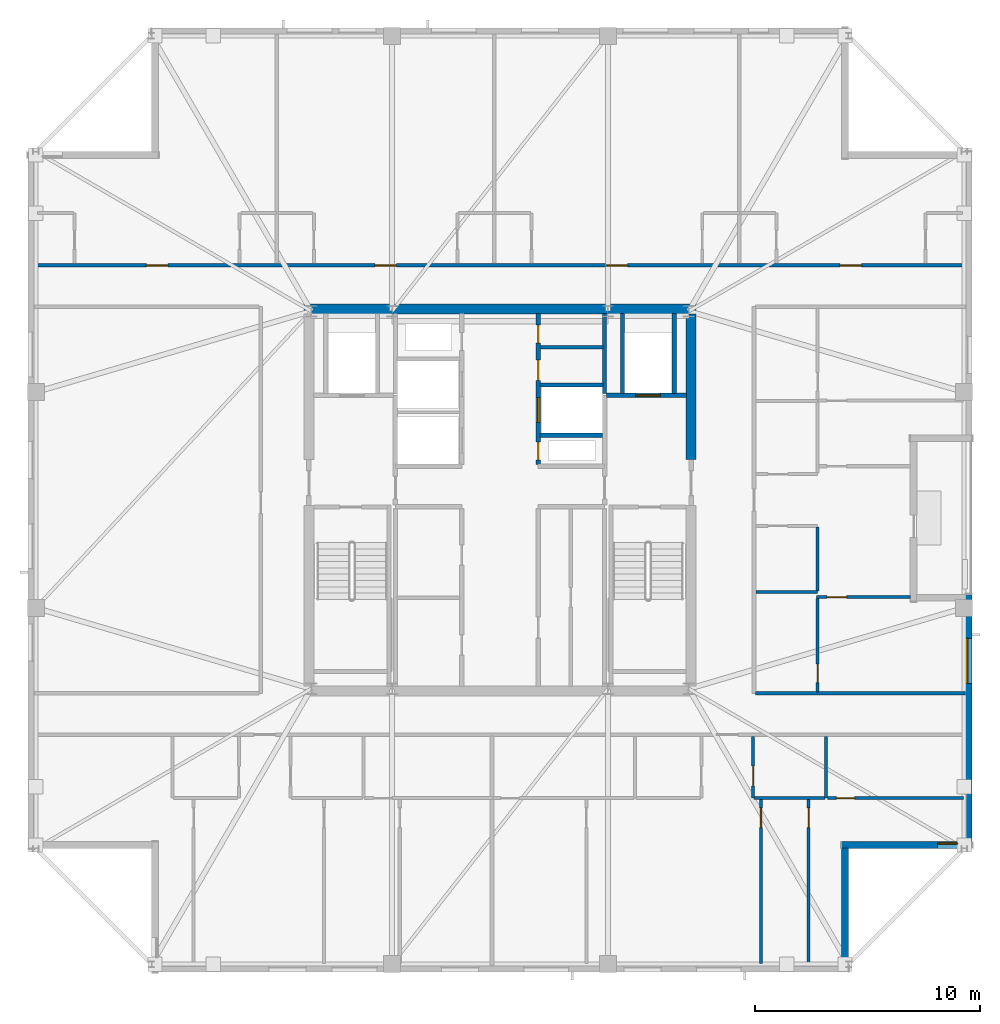
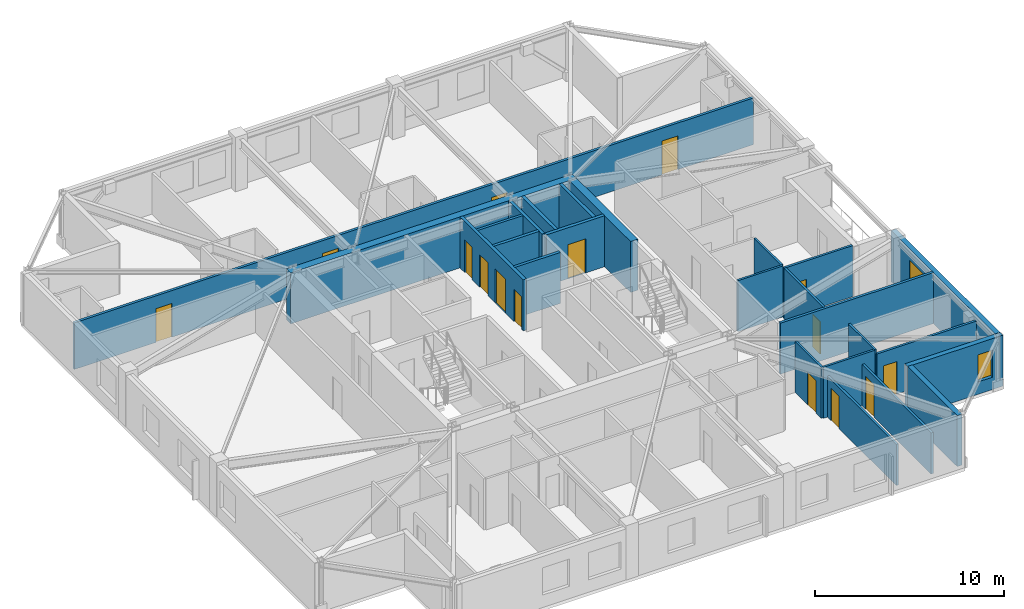
# One storey, part 9 of 14: 25 walls, 15 doors, 2 windows, 17 openings.
"""IFC4 building model written with IfcOpenShell, lengths in metres."""

from ifc_helpers import new_model, si_unit, direction, frame, frame_2d, origin, place, context, subcontext, project, spatial, rectangle, extrude, material, layer, layer_set, type_object, element, fill, save


model = new_model("IFC4")

# Units and contexts
model_context = context("Model", 3, precision=1e-05, world=origin(), true_north=direction((0.0, 1.0)))
body_context = subcontext(model_context, "Body", "Model", "MODEL_VIEW")
ifc_project = project(units=[si_unit("LENGTHUNIT", "METRE"), si_unit("AREAUNIT", "SQUARE_METRE"), si_unit("VOLUMEUNIT", "CUBIC_METRE"), si_unit("PLANEANGLEUNIT", "RADIAN"), si_unit("MASSUNIT", "GRAM", prefix="KILO")], contexts=[model_context])

# Site, building, storey
site_placement = place(None, origin())
site = spatial("IfcSite", under=ifc_project, at=site_placement, CompositionType="ELEMENT")
building_placement = place(site_placement, origin())
building = spatial("IfcBuilding", under=site, at=building_placement, Name="Cairnveth Concourse Tower", CompositionType="ELEMENT")
storey_placement = place(building_placement, frame((0.0, 0.0, 301.5)))
storey = spatial("IfcBuildingStorey", under=building, at=storey_placement, Name="L83", CompositionType="ELEMENT", Elevation=301.5)

# Wall
ifc_material_1 = material(Name="Gypsum Plasterboard Partition", Category="gypsum")
ifc_layer_1 = layer(ifc_material_1, 0.159912109375)
ifc_layer_set_1 = layer_set([ifc_layer_1], Name="Gypsum Plasterboard Partition")
wall_type_1 = type_object("IfcWallType", Name="ACOUSTIC PARTY WALL 180", PredefinedType="PARTITIONING", material=ifc_layer_set_1)
wall_1_placement = place(storey_placement, frame((53.784912109375, 45.800048828125, 0.0), z_axis=(0.0, 0.0, 1.0), x_axis=(1.0, 0.0, 0.0)))
element("IfcWall", 1, at=wall_1_placement, inside=storey, type_object=wall_type_1, Name="Interior Wall IW-L83-035", PredefinedType="PARTITIONING", context=body_context, shape_type="SweptSolid", body=[
    extrude(rectangle(XDim=2.7900390625, YDim=0.159912109375, at=frame_2d((1.39501953125, 0.0))), origin(), (0.0, 0.0, 1.0), 3.2900390625),
])

# Wall, openings, doors
wall_2_placement = place(storey_placement, frame((31.284912109375, 49.43505859375, 0.0), z_axis=(0.0, 0.0, 1.0), x_axis=(1.0, 0.0, 0.0)))
wall_2 = element("IfcWall", 2, at=wall_2_placement, inside=storey, type_object=wall_type_1, Name="Interior Wall IW-L83-037", PredefinedType="PARTITIONING", context=body_context, shape_type="SweptSolid", body=[
    extrude(rectangle(XDim=41.43017578125, YDim=0.159912109375, at=frame_2d((20.715087890625, 0.0))), origin(), (0.0, 0.0, 1.0), 3.009033203125),
])
opening_1_placement = place(wall_2_placement, frame((4.978759765625, 0.0, 0.0)))
opening_1 = element("IfcOpeningElement", 3, at=opening_1_placement, cuts=wall_2, Name="Opening ID10", PredefinedType="OPENING", context=body_context, shape_type="SweptSolid", body=[
    extrude(rectangle(XDim=0.9599609375, YDim=2.179931640625, at=frame_2d((0.47998046875, 1.08984375))), frame((0.0, 0.08984375, 0.0), z_axis=(0.0, -1.0, 0.0), x_axis=(1.0, 0.0, 0.0)), (0.0, 0.0, 1.0), 0.179931640625),
])
opening_2_placement = place(wall_2_placement, frame((15.14501953125, 0.0, 0.0)))
opening_2 = element("IfcOpeningElement", 4, at=opening_2_placement, cuts=wall_2, Name="Opening ID10", PredefinedType="OPENING", context=body_context, shape_type="SweptSolid", body=[
    extrude(rectangle(XDim=0.9599609375, YDim=2.179931640625, at=frame_2d((0.47998046875, 1.08984375))), frame((0.0, 0.08984375, 0.0), z_axis=(0.0, -1.0, 0.0), x_axis=(1.0, 0.0, 0.0)), (0.0, 0.0, 1.0), 0.179931640625),
])
opening_3_placement = place(wall_2_placement, frame((25.43505859375, 0.0, 0.0)))
opening_3 = element("IfcOpeningElement", 5, at=opening_3_placement, cuts=wall_2, Name="Opening ID10", PredefinedType="OPENING", context=body_context, shape_type="SweptSolid", body=[
    extrude(rectangle(XDim=0.9599609375, YDim=2.179931640625, at=frame_2d((0.47998046875, 1.08984375))), frame((0.0, 0.08984375, 0.0), z_axis=(0.0, -1.0, 0.0), x_axis=(1.0, 0.0, 0.0)), (0.0, 0.0, 1.0), 0.179931640625),
])
opening_4_placement = place(wall_2_placement, frame((35.848876953125, 0.0, 0.0)))
opening_4 = element("IfcOpeningElement", 6, at=opening_4_placement, cuts=wall_2, Name="Opening ID10", PredefinedType="OPENING", context=body_context, shape_type="SweptSolid", body=[
    extrude(rectangle(XDim=0.9599609375, YDim=2.179931640625, at=frame_2d((0.47998046875, 1.08984375))), frame((0.0, 0.08984375, 0.0), z_axis=(0.0, -1.0, 0.0), x_axis=(1.0, 0.0, 0.0)), (0.0, 0.0, 1.0), 0.179931640625),
])
ifc_material_2 = material(Name="Solid Core Hardwood Timber Leaf", Category="wood")
door_type_1 = type_object("IfcDoorType", Name="FLAT ENTRANCE DOOR 960X2150", OperationType="NOTDEFINED", PredefinedType="DOOR", material=ifc_material_2)
door_1_placement = place(opening_1_placement, origin())
door_1 = element("IfcDoor", 7, at=door_1_placement, inside=storey, type_object=door_type_1, Name="Studio L83STN1 Entrance Door", OperationType="SINGLE_SWING_LEFT", OverallHeight=2.179931640625, OverallWidth=0.9599609375, PredefinedType="DOOR", context=body_context, shape_type="SweptSolid", body=[
    extrude(rectangle(XDim=0.9599609375, YDim=2.179931640625, at=frame_2d((0.47998046875, 1.08984375))), frame((0.0, 0.02490234375, 0.0), z_axis=(0.0, -1.0, 0.0), x_axis=(1.0, 0.0, 0.0)), (0.0, 0.0, 1.0), 0.050048828125),
])
fill(opening_1, door_1)
door_2_placement = place(opening_2_placement, origin())
door_2 = element("IfcDoor", 8, at=door_2_placement, inside=storey, type_object=door_type_1, Name="Studio L83STN2 Entrance Door", OperationType="SINGLE_SWING_RIGHT", OverallHeight=2.179931640625, OverallWidth=0.9599609375, PredefinedType="DOOR", context=body_context, shape_type="SweptSolid", body=[
    extrude(rectangle(XDim=0.9599609375, YDim=2.179931640625, at=frame_2d((0.47998046875, 1.08984375))), frame((0.0, 0.02490234375, 0.0), z_axis=(0.0, -1.0, 0.0), x_axis=(1.0, 0.0, 0.0)), (0.0, 0.0, 1.0), 0.050048828125),
])
fill(opening_2, door_2)
door_3_placement = place(opening_3_placement, origin())
door_3 = element("IfcDoor", 9, at=door_3_placement, inside=storey, type_object=door_type_1, Name="Studio L83STN3 Entrance Door", OperationType="SINGLE_SWING_LEFT", OverallHeight=2.179931640625, OverallWidth=0.9599609375, PredefinedType="DOOR", context=body_context, shape_type="SweptSolid", body=[
    extrude(rectangle(XDim=0.9599609375, YDim=2.179931640625, at=frame_2d((0.47998046875, 1.08984375))), frame((0.0, 0.02490234375, 0.0), z_axis=(0.0, -1.0, 0.0), x_axis=(1.0, 0.0, 0.0)), (0.0, 0.0, 1.0), 0.050048828125),
])
fill(opening_3, door_3)
door_4_placement = place(opening_4_placement, origin())
door_4 = element("IfcDoor", 10, at=door_4_placement, inside=storey, type_object=door_type_1, Name="Studio L83STN4 Entrance Door", OperationType="SINGLE_SWING_RIGHT", OverallHeight=2.179931640625, OverallWidth=0.9599609375, PredefinedType="DOOR", context=body_context, shape_type="SweptSolid", body=[
    extrude(rectangle(XDim=0.9599609375, YDim=2.179931640625, at=frame_2d((0.47998046875, 1.08984375))), frame((0.0, 0.02490234375, 0.0), z_axis=(0.0, -1.0, 0.0), x_axis=(1.0, 0.0, 0.0)), (0.0, 0.0, 1.0), 0.050048828125),
])
fill(opening_4, door_4)

# Walls
wall_3_placement = place(storey_placement, frame((63.364990234375, 30.39990234375, 0.0), z_axis=(0.0, 0.0, 1.0), x_axis=(1.0, 0.0, 0.0)))
element("IfcWall", 11, at=wall_3_placement, inside=storey, type_object=wall_type_1, Name="Interior Wall IW-L83-042", PredefinedType="PARTITIONING", context=body_context, shape_type="SweptSolid", body=[
    extrude(rectangle(XDim=9.35009765625, YDim=0.159912109375, at=frame_2d((4.675048828125, 0.0))), origin(), (0.0, 0.0, 1.0), 3.2900390625),
])
ifc_material_3 = material(Name="Concrete N65 (65 MPa)", Category="concrete")
ifc_layer_2 = layer(ifc_material_3, 0.449951171875)
ifc_layer_set_2 = layer_set([ifc_layer_2], Name="Concrete N65 (65 MPa)")
wall_type_2 = type_object("IfcWallType", Name="CORE SHEAR WALL 450", PredefinedType="SHEAR", material=ifc_layer_set_2)
wall_4_placement = place(storey_placement, frame((43.27490234375, 47.5, 0.0), z_axis=(0.0, 0.0, 1.0), x_axis=(1.0, 0.0, 0.0)))
element("IfcWall", 12, at=wall_4_placement, inside=storey, type_object=wall_type_2, Name="Core North Shear Wall L83", PredefinedType="SHEAR", context=body_context, shape_type="SweptSolid", body=[
    extrude(rectangle(XDim=17.4501953125, YDim=0.449951171875, at=frame_2d((8.72509765625, 0.0))), origin(), (0.0, 0.0, 1.0), 3.2900390625),
])
wall_5_placement = place(storey_placement, frame((60.5, 40.800048828125, 0.0), z_axis=(0.0, 0.0, 1.0), x_axis=(0.0, 1.0, 0.0)))
element("IfcWall", 13, at=wall_5_placement, inside=storey, type_object=wall_type_2, Name="Core East Shear Wall N L83", PredefinedType="SHEAR", context=body_context, shape_type="SweptSolid", body=[
    extrude(rectangle(XDim=6.48486328125, YDim=0.449951171875, at=frame_2d((3.242431640625, 0.0))), origin(), (0.0, 0.0, 1.0), 3.2900390625),
])
ifc_material_4 = material(Name="Concrete N50 (50 MPa)", Category="concrete")
ifc_layer_3 = layer(ifc_material_4, 0.179931640625)
ifc_layer_set_3 = layer_set([ifc_layer_3], Name="Concrete N50 (50 MPa)")
wall_type_3 = type_object("IfcWallType", Name="FIRE SHAFT WALL 180", PredefinedType="SOLIDWALL", material=ifc_layer_set_3)
wall_6_placement = place(storey_placement, frame((56.64990234375, 43.735107421875, 0.0), z_axis=(0.0, 0.0, 1.0), x_axis=(0.0, 1.0, 0.0)))
element("IfcWall", 14, at=wall_6_placement, inside=storey, type_object=wall_type_3, Name="Interior Wall IW-L83-032", PredefinedType="SOLIDWALL", context=body_context, shape_type="SweptSolid", body=[
    extrude(rectangle(XDim=3.554931640625, YDim=0.179931640625, at=frame_2d((1.77734375, 0.0))), origin(), (0.0, 0.0, 1.0), 3.2900390625),
])
wall_7_placement = place(storey_placement, frame((53.784912109375, 41.8798828125, 0.0), z_axis=(0.0, 0.0, 1.0), x_axis=(1.0, 0.0, 0.0)))
element("IfcWall", 15, at=wall_7_placement, inside=storey, type_object=wall_type_3, Name="Interior Wall IW-L83-033", PredefinedType="SOLIDWALL", context=body_context, shape_type="SweptSolid", body=[
    extrude(rectangle(XDim=2.780029296875, YDim=0.179931640625, at=frame_2d((1.39013671875, 0.0))), origin(), (0.0, 0.0, 1.0), 3.2900390625),
])
wall_8_placement = place(storey_placement, frame((53.784912109375, 44.1201171875, 0.0), z_axis=(0.0, 0.0, 1.0), x_axis=(1.0, 0.0, 0.0)))
element("IfcWall", 16, at=wall_8_placement, inside=storey, type_object=wall_type_3, Name="Interior Wall IW-L83-034", PredefinedType="SOLIDWALL", context=body_context, shape_type="SweptSolid", body=[
    extrude(rectangle(XDim=2.7900390625, YDim=0.179931640625, at=frame_2d((1.39501953125, 0.0))), origin(), (0.0, 0.0, 1.0), 3.2900390625),
])

# Wall, openings, doors
ifc_layer_4 = layer(ifc_material_4, 0.199951171875)
ifc_layer_set_4 = layer_set([ifc_layer_4], Name="Concrete N50 (50 MPa)")
wall_type_4 = type_object("IfcWallType", Name="FIRE SHAFT WALL 200", PredefinedType="SOLIDWALL", material=ifc_layer_set_4)
wall_9_placement = place(storey_placement, frame((53.699951171875, 40.5849609375, 0.0), z_axis=(0.0, 0.0, 1.0), x_axis=(0.0, 1.0, 0.0)))
wall_9 = element("IfcWall", 17, at=wall_9_placement, inside=storey, type_object=wall_type_4, Name="Interior Wall IW-L83-014", PredefinedType="SOLIDWALL", context=body_context, shape_type="SweptSolid", body=[
    extrude(rectangle(XDim=6.705078125, YDim=0.199951171875, at=frame_2d((3.3525390625, 0.0))), origin(), (0.0, 0.0, 1.0), 3.2900390625),
])
opening_5_placement = place(wall_9_placement, frame((0.195068359375, 0.0, 0.0)))
opening_5 = element("IfcOpeningElement", 18, at=opening_5_placement, cuts=wall_9, Name="Opening ID24", PredefinedType="OPENING", context=body_context, shape_type="SweptSolid", body=[
    extrude(rectangle(XDim=0.800048828125, YDim=2.080078125, at=frame_2d((0.39990234375, 1.0400390625))), frame((0.0, 0.10986328125, 0.0), z_axis=(0.0, -1.0, 0.0), x_axis=(1.0, 0.0, 0.0)), (0.0, 0.0, 1.0), 0.219970703125),
])
opening_6_placement = place(wall_9_placement, frame((1.864990234375, 0.0, 0.0)))
opening_6 = element("IfcOpeningElement", 19, at=opening_6_placement, cuts=wall_9, Name="Opening LD-1", PredefinedType="OPENING", context=body_context, shape_type="SweptSolid", body=[
    extrude(rectangle(XDim=1.10009765625, YDim=2.199951171875, at=frame_2d((0.550048828125, 1.10009765625))), frame((0.0, 0.10986328125, 0.0), z_axis=(0.0, -1.0, 0.0), x_axis=(1.0, 0.0, 0.0)), (0.0, 0.0, 1.0), 0.219970703125),
])
opening_7_placement = place(wall_9_placement, frame((3.735107421875, 0.0, 0.0)))
opening_7 = element("IfcOpeningElement", 20, at=opening_7_placement, cuts=wall_9, Name="Opening ID26", PredefinedType="OPENING", context=body_context, shape_type="SweptSolid", body=[
    extrude(rectangle(XDim=0.89990234375, YDim=2.1201171875, at=frame_2d((0.449951171875, 1.06005859375))), frame((0.0, 0.10986328125, 0.0), z_axis=(0.0, -1.0, 0.0), x_axis=(1.0, 0.0, 0.0)), (0.0, 0.0, 1.0), 0.219970703125),
])
opening_8_placement = place(wall_9_placement, frame((5.39501953125, 0.0, 0.0)))
opening_8 = element("IfcOpeningElement", 21, at=opening_8_placement, cuts=wall_9, Name="Opening ID23", PredefinedType="OPENING", context=body_context, shape_type="SweptSolid", body=[
    extrude(rectangle(XDim=0.800048828125, YDim=2.10009765625, at=frame_2d((0.39990234375, 1.050048828125))), frame((0.0, 0.10986328125, 0.0), z_axis=(0.0, -1.0, 0.0), x_axis=(1.0, 0.0, 0.0)), (0.0, 0.0, 1.0), 0.219970703125),
])
ifc_material_5 = material(Name="Steel Grade 350", Category="steel")
door_type_2 = type_object("IfcDoorType", Name="CORE SERVICE DOOR 800X2100", OperationType="NOTDEFINED", PredefinedType="DOOR", material=ifc_material_5)
door_5_placement = place(opening_8_placement, origin())
door_5 = element("IfcDoor", 22, at=door_5_placement, inside=storey, type_object=door_type_2, Name="Core NE Cleaners Door L83", OperationType="SINGLE_SWING_LEFT", OverallHeight=2.10009765625, OverallWidth=0.800048828125, PredefinedType="DOOR", context=body_context, shape_type="SweptSolid", body=[
    extrude(rectangle(XDim=0.800048828125, YDim=2.10009765625, at=frame_2d((0.39990234375, 1.050048828125))), frame((0.0, 0.02490234375, 0.0), z_axis=(0.0, -1.0, 0.0), x_axis=(1.0, 0.0, 0.0)), (0.0, 0.0, 1.0), 0.050048828125),
])
fill(opening_8, door_5)
door_type_3 = type_object("IfcDoorType", Name="CORE TOILET FIRE DOOR 900X2120", OperationType="NOTDEFINED", PredefinedType="DOOR", material=ifc_material_5)
door_6_placement = place(opening_7_placement, origin())
door_6 = element("IfcDoor", 23, at=door_6_placement, inside=storey, type_object=door_type_3, Name="Core NE Unisex WC Door L83", OperationType="SINGLE_SWING_RIGHT", OverallHeight=2.1201171875, OverallWidth=0.89990234375, PredefinedType="DOOR", context=body_context, shape_type="SweptSolid", body=[
    extrude(rectangle(XDim=0.89990234375, YDim=2.1201171875, at=frame_2d((0.449951171875, 1.06005859375))), frame((0.0, 0.02490234375, 0.0), z_axis=(0.0, -1.0, 0.0), x_axis=(1.0, 0.0, 0.0)), (0.0, 0.0, 1.0), 0.050048828125),
])
fill(opening_7, door_6)
ifc_material_6 = material(Name="Architectural Bronze Anodised Aluminium 6063-T6", Category="aluminium")
door_type_4 = type_object("IfcDoorType", Name="LIFT LANDING DOOR 1100X2200", OperationType="SLIDING_TO_LEFT", PredefinedType="DOOR", material=ifc_material_6)
door_7_placement = place(opening_6_placement, origin())
door_7 = element("IfcDoor", 24, at=door_7_placement, inside=storey, type_object=door_type_4, Name="Lift PL9 Landing Door L83", OperationType="SLIDING_TO_LEFT", OverallHeight=2.199951171875, OverallWidth=1.10009765625, PredefinedType="DOOR", context=body_context, shape_type="SweptSolid", body=[
    extrude(rectangle(XDim=1.10009765625, YDim=2.199951171875, at=frame_2d((0.550048828125, 1.10009765625))), frame((0.0, 0.02490234375, 0.0), z_axis=(0.0, -1.0, 0.0), x_axis=(1.0, 0.0, 0.0)), (0.0, 0.0, 1.0), 0.050048828125),
])
fill(opening_6, door_7)
door_type_5 = type_object("IfcDoorType", Name="RISER ACCESS DOOR 800X2100", OperationType="NOTDEFINED", PredefinedType="DOOR", material=ifc_material_5)
door_8_placement = place(opening_5_placement, origin())
door_8 = element("IfcDoor", 25, at=door_8_placement, inside=storey, type_object=door_type_5, Name="Hydraulic Riser Door L83", OperationType="SINGLE_SWING_RIGHT", OverallHeight=2.080078125, OverallWidth=0.800048828125, PredefinedType="DOOR", context=body_context, shape_type="SweptSolid", body=[
    extrude(rectangle(XDim=0.800048828125, YDim=2.080078125, at=frame_2d((0.39990234375, 1.0400390625))), frame((0.0, 0.02490234375, 0.0), z_axis=(0.0, -1.0, 0.0), x_axis=(1.0, 0.0, 0.0)), (0.0, 0.0, 1.0), 0.050048828125),
])
fill(opening_5, door_8)

# Wall, opening, door
wall_10_placement = place(storey_placement, frame((56.735107421875, 43.64990234375, 0.0), z_axis=(0.0, 0.0, 1.0), x_axis=(1.0, 0.0, 0.0)))
wall_10 = element("IfcWall", 26, at=wall_10_placement, inside=storey, type_object=wall_type_4, Name="Interior Wall IW-L83-022", PredefinedType="SOLIDWALL", context=body_context, shape_type="SweptSolid", body=[
    extrude(rectangle(XDim=3.554931640625, YDim=0.199951171875, at=frame_2d((1.77734375, 0.0))), origin(), (0.0, 0.0, 1.0), 3.2900390625),
])
opening_9_placement = place(wall_10_placement, frame((1.294921875, 0.0, 0.0)))
opening_9 = element("IfcOpeningElement", 27, at=opening_9_placement, cuts=wall_10, Name="Opening LD-1", PredefinedType="OPENING", context=body_context, shape_type="SweptSolid", body=[
    extrude(rectangle(XDim=1.10009765625, YDim=2.199951171875, at=frame_2d((0.550048828125, 1.10009765625))), frame((0.0, 0.10986328125, 0.0), z_axis=(0.0, -1.0, 0.0), x_axis=(1.0, 0.0, 0.0)), (0.0, 0.0, 1.0), 0.219970703125),
])
door_9_placement = place(opening_9_placement, origin())
door_9 = element("IfcDoor", 28, at=door_9_placement, inside=storey, type_object=door_type_4, Name="Lift FFL2 Landing Door L83", OperationType="SLIDING_TO_LEFT", OverallHeight=2.199951171875, OverallWidth=1.10009765625, PredefinedType="DOOR", context=body_context, shape_type="SweptSolid", body=[
    extrude(rectangle(XDim=1.10009765625, YDim=2.199951171875, at=frame_2d((0.550048828125, 1.10009765625))), frame((0.0, 0.02490234375, 0.0), z_axis=(0.0, -1.0, 0.0), x_axis=(1.0, 0.0, 0.0)), (0.0, 0.0, 1.0), 0.050048828125),
])
fill(opening_9, door_9)

# Walls
for number, where, z_axis, x_axis, name in (
    (29, (57.449951171875, 43.735107421875, 0.0), (0.0, 0.0, 1.0), (0.0, 1.0, 0.0), "Interior Wall IW-L83-023"),
    (30, (59.75, 43.735107421875, 0.0), (0.0, 0.0, 1.0), (0.0, 1.0, 0.0), "Interior Wall IW-L83-024"),
):
    element("IfcWall", number, at=place(storey_placement, frame(where, z_axis=z_axis, x_axis=x_axis)), inside=storey, type_object=wall_type_4, Name=name, PredefinedType="SOLIDWALL", context=body_context, shape_type="SweptSolid", body=[
        extrude(rectangle(XDim=3.554931640625, YDim=0.199951171875, at=frame_2d((1.77734375, 0.0))), origin(), (0.0, 0.0, 1.0), 3.2900390625),
    ])

# Wall, opening, door
ifc_layer_5 = layer(ifc_material_1, 0.139892578125)
ifc_layer_set_5 = layer_set([ifc_layer_5], Name="Gypsum Plasterboard Partition")
wall_type_5 = type_object("IfcWallType", Name="GYPSUM STUD PARTITION 140", PredefinedType="PARTITIONING", material=ifc_layer_set_5)
wall_11_placement = place(storey_placement, frame((65.72998046875, 18.3798828125, 0.0), z_axis=(0.0, 0.0, 1.0), x_axis=(0.0, 1.0, 0.0)))
wall_11 = element("IfcWall", 31, at=wall_11_placement, inside=storey, type_object=wall_type_5, Name="Interior Wall IW-L83-063", PredefinedType="PARTITIONING", context=body_context, shape_type="SweptSolid", body=[
    extrude(rectangle(XDim=7.30517578125, YDim=0.139892578125, at=frame_2d((3.652587890625, 0.0))), origin(), (0.0, 0.0, 1.0), 2.653076171875),
])
opening_10_placement = place(wall_11_placement, frame((6.044921875, 0.0, 0.0)))
opening_10 = element("IfcOpeningElement", 32, at=opening_10_placement, cuts=wall_11, Name="Opening ID18", PredefinedType="OPENING", context=body_context, shape_type="SweptSolid", body=[
    extrude(rectangle(XDim=0.8798828125, YDim=2.10009765625, at=frame_2d((0.43994140625, 1.050048828125))), frame((0.0, 0.079833984375, 0.0), z_axis=(0.0, -1.0, 0.0), x_axis=(1.0, 0.0, 0.0)), (0.0, 0.0, 1.0), 0.159912109375),
])
door_type_6 = type_object("IfcDoorType", Name="INTERIOR SINGLE DOOR 880X2100", OperationType="NOTDEFINED", PredefinedType="DOOR", material=ifc_material_2)
door_10_placement = place(opening_10_placement, origin())
door_10 = element("IfcDoor", 33, at=door_10_placement, inside=storey, type_object=door_type_6, Name="L83PS2 Bedroom 2 Door", OperationType="SINGLE_SWING_RIGHT", OverallHeight=2.10009765625, OverallWidth=0.8798828125, PredefinedType="DOOR", context=body_context, shape_type="SweptSolid", body=[
    extrude(rectangle(XDim=0.8798828125, YDim=2.10009765625, at=frame_2d((0.43994140625, 1.050048828125))), frame((0.0, 0.02490234375, 0.0), z_axis=(0.0, -1.0, 0.0), x_axis=(1.0, 0.0, 0.0)), (0.0, 0.0, 1.0), 0.050048828125),
])
fill(opening_10, door_10)

wall_12_placement = place(storey_placement, frame((66.561279296875, 25.735107421875, 0.0), z_axis=(0.0, 0.0, 1.0), x_axis=(1.0, 0.0, 0.0)))
wall_12 = element("IfcWall", 34, at=wall_12_placement, inside=storey, type_object=wall_type_5, Name="Interior Wall IW-L83-064", PredefinedType="PARTITIONING", context=body_context, shape_type="SweptSolid", body=[
    extrude(rectangle(XDim=6.068603515625, YDim=0.139892578125, at=frame_2d((3.0341796875, 0.0))), origin(), (0.0, 0.0, 1.0), 3.009033203125),
])
opening_11_placement = place(wall_12_placement, frame((0.39990234375, 0.0, 0.0)))
opening_11 = element("IfcOpeningElement", 35, at=opening_11_placement, cuts=wall_12, Name="Opening ID22", PredefinedType="OPENING", context=body_context, shape_type="SweptSolid", body=[
    extrude(rectangle(XDim=0.820068359375, YDim=2.10009765625, at=frame_2d((0.41015625, 1.050048828125))), frame((0.0, 0.079833984375, 0.0), z_axis=(0.0, -1.0, 0.0), x_axis=(1.0, 0.0, 0.0)), (0.0, 0.0, 1.0), 0.159912109375),
])
door_type_7 = type_object("IfcDoorType", Name="INTERIOR WC DOOR 820X2100", OperationType="NOTDEFINED", PredefinedType="DOOR", material=ifc_material_2)
door_11_placement = place(opening_11_placement, origin())
door_11 = element("IfcDoor", 36, at=door_11_placement, inside=storey, type_object=door_type_7, Name="L83PS2 Utility Door", OperationType="SINGLE_SWING_LEFT", OverallHeight=2.10009765625, OverallWidth=0.820068359375, PredefinedType="DOOR", context=body_context, shape_type="SweptSolid", body=[
    extrude(rectangle(XDim=0.820068359375, YDim=2.10009765625, at=frame_2d((0.41015625, 1.050048828125))), frame((0.0, 0.02490234375, 0.0), z_axis=(0.0, -1.0, 0.0), x_axis=(1.0, 0.0, 0.0)), (0.0, 0.0, 1.0), 0.050048828125),
])
fill(opening_11, door_11)

wall_13_placement = place(storey_placement, frame((63.611083984375, 18.3798828125, 0.0), z_axis=(0.0, 0.0, 1.0), x_axis=(0.0, 1.0, 0.0)))
wall_13 = element("IfcWall", 37, at=wall_13_placement, inside=storey, type_object=wall_type_5, Name="Interior Wall IW-L83-065", PredefinedType="PARTITIONING", context=body_context, shape_type="SweptSolid", body=[
    extrude(rectangle(XDim=7.30517578125, YDim=0.139892578125, at=frame_2d((3.652587890625, 0.0))), origin(), (0.0, 0.0, 1.0), 2.653076171875),
])
opening_12_placement = place(wall_13_placement, frame((6.044921875, 0.0, 0.0)))
opening_12 = element("IfcOpeningElement", 38, at=opening_12_placement, cuts=wall_13, Name="Opening ID18", PredefinedType="OPENING", context=body_context, shape_type="SweptSolid", body=[
    extrude(rectangle(XDim=0.8798828125, YDim=2.10009765625, at=frame_2d((0.43994140625, 1.050048828125))), frame((0.0, 0.079833984375, 0.0), z_axis=(0.0, -1.0, 0.0), x_axis=(1.0, 0.0, 0.0)), (0.0, 0.0, 1.0), 0.159912109375),
])
door_12_placement = place(opening_12_placement, origin())
door_12 = element("IfcDoor", 39, at=door_12_placement, inside=storey, type_object=door_type_6, Name="L83PS2 Media Lounge Door", OperationType="SINGLE_SWING_LEFT", OverallHeight=2.10009765625, OverallWidth=0.8798828125, PredefinedType="DOOR", context=body_context, shape_type="SweptSolid", body=[
    extrude(rectangle(XDim=0.8798828125, YDim=2.10009765625, at=frame_2d((0.43994140625, 1.050048828125))), frame((0.0, 0.02490234375, 0.0), z_axis=(0.0, -1.0, 0.0), x_axis=(1.0, 0.0, 0.0)), (0.0, 0.0, 1.0), 0.050048828125),
])
fill(opening_12, door_12)

wall_14_placement = place(storey_placement, frame((66.090087890625, 34.679931640625, 0.0), z_axis=(0.0, 0.0, 1.0), x_axis=(1.0, 0.0, 0.0)))
wall_14 = element("IfcWall", 40, at=wall_14_placement, inside=storey, type_object=wall_type_5, Name="Interior Wall IW-L83-091", PredefinedType="PARTITIONING", context=body_context, shape_type="SweptSolid", body=[
    extrude(rectangle(XDim=4.1748046875, YDim=0.139892578125, at=frame_2d((2.08740234375, 0.0))), origin(), (0.0, 0.0, 1.0), 3.2900390625),
])
opening_13_placement = place(wall_14_placement, frame((0.449951171875, 0.0, 0.0)))
opening_13 = element("IfcOpeningElement", 41, at=opening_13_placement, cuts=wall_14, Name="Opening ID18", PredefinedType="OPENING", context=body_context, shape_type="SweptSolid", body=[
    extrude(rectangle(XDim=0.8798828125, YDim=2.10009765625, at=frame_2d((0.43994140625, 1.050048828125))), frame((0.0, 0.079833984375, 0.0), z_axis=(0.0, -1.0, 0.0), x_axis=(1.0, 0.0, 0.0)), (0.0, 0.0, 1.0), 0.159912109375),
])
door_13_placement = place(opening_13_placement, origin())
door_13 = element("IfcDoor", 42, at=door_13_placement, inside=storey, type_object=door_type_6, Name="L83PE1 Master Bedroom Door", OperationType="SINGLE_SWING_LEFT", OverallHeight=2.10009765625, OverallWidth=0.8798828125, PredefinedType="DOOR", context=body_context, shape_type="SweptSolid", body=[
    extrude(rectangle(XDim=0.8798828125, YDim=2.10009765625, at=frame_2d((0.43994140625, 1.050048828125))), frame((0.0, 0.02490234375, 0.0), z_axis=(0.0, -1.0, 0.0), x_axis=(1.0, 0.0, 0.0)), (0.0, 0.0, 1.0), 0.050048828125),
])
fill(opening_13, door_13)

wall_15_placement = place(storey_placement, frame((66.1298828125, 30.465087890625, 0.0), z_axis=(0.0, 0.0, 1.0), x_axis=(0.0, 1.0, 0.0)))
wall_15 = element("IfcWall", 43, at=wall_15_placement, inside=storey, type_object=wall_type_5, Name="Interior Wall IW-L83-092", PredefinedType="PARTITIONING", context=body_context, shape_type="SweptSolid", body=[
    extrude(rectangle(XDim=4.159912109375, YDim=0.139892578125, at=frame_2d((2.080078125, 0.0))), origin(), (0.0, 0.0, 1.0), 3.2900390625),
])
opening_14_placement = place(wall_15_placement, frame((0.4150390625, 0.0, 0.0)))
opening_14 = element("IfcOpeningElement", 44, at=opening_14_placement, cuts=wall_15, Name="Opening ID22", PredefinedType="OPENING", context=body_context, shape_type="SweptSolid", body=[
    extrude(rectangle(XDim=0.820068359375, YDim=2.10009765625, at=frame_2d((0.41015625, 1.050048828125))), frame((0.0, 0.079833984375, 0.0), z_axis=(0.0, -1.0, 0.0), x_axis=(1.0, 0.0, 0.0)), (0.0, 0.0, 1.0), 0.159912109375),
])
door_14_placement = place(opening_14_placement, origin())
door_14 = element("IfcDoor", 45, at=door_14_placement, inside=storey, type_object=door_type_7, Name="L83PE1 Dressing Door", OperationType="SINGLE_SWING_RIGHT", OverallHeight=2.10009765625, OverallWidth=0.820068359375, PredefinedType="DOOR", context=body_context, shape_type="SweptSolid", body=[
    extrude(rectangle(XDim=0.820068359375, YDim=2.10009765625, at=frame_2d((0.41015625, 1.050048828125))), frame((0.0, 0.02490234375, 0.0), z_axis=(0.0, -1.0, 0.0), x_axis=(1.0, 0.0, 0.0)), (0.0, 0.0, 1.0), 0.050048828125),
])
fill(opening_14, door_14)

# Wall
ifc_layer_6 = layer(ifc_material_1, 0.1298828125)
ifc_layer_set_6 = layer_set([ifc_layer_6], Name="Gypsum Plasterboard Partition")
wall_type_6 = type_object("IfcWallType", Name="WET AREA PARTITION 140", PredefinedType="PLUMBINGWALL", material=ifc_layer_set_6)
wall_16_placement = place(storey_placement, frame((66.51123046875, 25.735107421875, 0.0), z_axis=(0.0, 0.0, 1.0), x_axis=(0.0, 1.0, 0.0)))
element("IfcWall", 46, at=wall_16_placement, inside=storey, type_object=wall_type_6, Name="Interior Wall IW-L83-058", PredefinedType="PLUMBINGWALL", context=body_context, shape_type="SweptSolid", body=[
    extrude(rectangle(XDim=2.75, YDim=0.1298828125, at=frame_2d((1.375, 0.0))), origin(), (0.0, 0.0, 1.0), 3.2900390625),
])

# Wall, opening, door
wall_17_placement = place(storey_placement, frame((63.26123046875, 25.735107421875, 0.0), z_axis=(0.0, 0.0, 1.0), x_axis=(0.0, 1.0, 0.0)))
wall_17 = element("IfcWall", 47, at=wall_17_placement, inside=storey, type_object=wall_type_6, Name="Interior Wall IW-L83-059", PredefinedType="PLUMBINGWALL", context=body_context, shape_type="SweptSolid", body=[
    extrude(rectangle(XDim=2.75, YDim=0.1298828125, at=frame_2d((1.375, 0.0))), origin(), (0.0, 0.0, 1.0), 3.2900390625),
])
opening_15_placement = place(wall_17_placement, frame((0.550048828125, 0.0, 0.0)))
opening_15 = element("IfcOpeningElement", 48, at=opening_15_placement, cuts=wall_17, Name="Opening ID18", PredefinedType="OPENING", context=body_context, shape_type="SweptSolid", body=[
    extrude(rectangle(XDim=0.8798828125, YDim=2.10009765625, at=frame_2d((0.43994140625, 1.050048828125))), frame((0.0, 0.074951171875, 0.0), z_axis=(0.0, -1.0, 0.0), x_axis=(1.0, 0.0, 0.0)), (0.0, 0.0, 1.0), 0.14990234375),
])
door_15_placement = place(opening_15_placement, origin())
door_15 = element("IfcDoor", 49, at=door_15_placement, inside=storey, type_object=door_type_6, Name="L83PS2 Kitchen Door", OperationType="SINGLE_SWING_RIGHT", OverallHeight=2.10009765625, OverallWidth=0.8798828125, PredefinedType="DOOR", context=body_context, shape_type="SweptSolid", body=[
    extrude(rectangle(XDim=0.8798828125, YDim=2.10009765625, at=frame_2d((0.43994140625, 1.050048828125))), frame((0.0, 0.02490234375, 0.0), z_axis=(0.0, -1.0, 0.0), x_axis=(1.0, 0.0, 0.0)), (0.0, 0.0, 1.0), 0.050048828125),
])
fill(opening_15, door_15)

# Walls
wall_18_placement = place(storey_placement, frame((63.311279296875, 25.735107421875, 0.0), z_axis=(0.0, 0.0, 1.0), x_axis=(1.0, 0.0, 0.0)))
element("IfcWall", 50, at=wall_18_placement, inside=storey, type_object=wall_type_6, Name="Interior Wall IW-L83-060", PredefinedType="PLUMBINGWALL", context=body_context, shape_type="SweptSolid", body=[
    extrude(rectangle(XDim=3.14990234375, YDim=0.1298828125, at=frame_2d((1.574951171875, 0.0))), origin(), (0.0, 0.0, 1.0), 3.2900390625),
])
wall_19_placement = place(storey_placement, frame((63.3798828125, 34.89990234375, 0.0), z_axis=(0.0, 0.0, 1.0), x_axis=(1.0, 0.0, 0.0)))
element("IfcWall", 51, at=wall_19_placement, inside=storey, type_object=wall_type_6, Name="Interior Wall IW-L83-085", PredefinedType="PLUMBINGWALL", context=body_context, shape_type="SweptSolid", body=[
    extrude(rectangle(XDim=2.75, YDim=0.1298828125, at=frame_2d((1.375, 0.0))), origin(), (0.0, 0.0, 1.0), 3.2900390625),
])
wall_20_placement = place(storey_placement, frame((66.1298828125, 34.949951171875, 0.0), z_axis=(0.0, 0.0, 1.0), x_axis=(0.0, 1.0, 0.0)))
element("IfcWall", 52, at=wall_20_placement, inside=storey, type_object=wall_type_6, Name="Interior Wall IW-L83-087", PredefinedType="PLUMBINGWALL", context=body_context, shape_type="SweptSolid", body=[
    extrude(rectangle(XDim=2.85009765625, YDim=0.1298828125, at=frame_2d((1.425048828125, 0.0))), origin(), (0.0, 0.0, 1.0), 3.2900390625),
])

# Wall, opening, window
ifc_material_7 = material(Name="Hawthorn Red-Ochre Fired Clay Brick Masonry", Category="masonry")
ifc_layer_7 = layer(ifc_material_7, 0.300048828125)
ifc_layer_set_7 = layer_set([ifc_layer_7], Name="Hawthorn Red-Ochre Fired Clay Brick Masonry")
wall_type_7 = type_object("IfcWallType", Name="ZONE 4 BRICK PIER SPANDREL WALL 300", PredefinedType="SOLIDWALL", material=ifc_layer_set_7)
wall_21_placement = place(storey_placement, frame((72.85009765625, 34.800048828125, 0.0), z_axis=(0.0, 0.0, 1.0), x_axis=(0.0, -1.0, 0.0)))
wall_21 = element("IfcWall", 53, at=wall_21_placement, inside=storey, type_object=wall_type_7, Name="Exterior Wall EW-L83-S00", PredefinedType="SOLIDWALL", context=body_context, shape_type="SweptSolid", body=[
    extrude(rectangle(XDim=11.02197265625, YDim=0.300048828125, at=frame_2d((5.510986328125, 0.0))), origin(), (0.0, 0.0, 1.0), 3.2900390625),
])
opening_16_placement = place(wall_21_placement, frame((1.9609375, 0.0, 0.800048828125)))
opening_16 = element("IfcOpeningElement", 54, at=opening_16_placement, cuts=wall_21, Name="Opening W09", PredefinedType="OPENING", context=body_context, shape_type="SweptSolid", body=[
    extrude(rectangle(XDim=2.0, YDim=1.758056640625, at=frame_2d((1.0, 0.87890625))), frame((0.0, 0.159912109375, 0.0), z_axis=(0.0, -1.0, 0.0), x_axis=(1.0, 0.0, 0.0)), (0.0, 0.0, 1.0), 0.320068359375),
])
ifc_material_8 = material(Name="Double Glazed Low-E Clear Glass", Category="glass")
window_type_1 = type_object("IfcWindowType", Name="DEEP-SET PENTHOUSE LANCET WINDOW 2000X1850", PartitioningType="DOUBLE_PANEL_VERTICAL", PredefinedType="WINDOW", material=ifc_material_8)
window_1_placement = place(opening_16_placement, origin())
window_1 = element("IfcWindow", 55, at=window_1_placement, inside=storey, type_object=window_type_1, Name="Gothic Lancet Window L83-0-1", OverallHeight=1.758056640625, OverallWidth=2.0, PartitioningType="SINGLE_PANEL", PredefinedType="WINDOW", context=body_context, shape_type="SweptSolid", body=[
    extrude(rectangle(XDim=2.0, YDim=1.758056640625, at=frame_2d((1.0, 0.87890625))), frame((0.0, -0.050048828125, 0.0), z_axis=(0.0, -1.0, 0.0), x_axis=(1.0, 0.0, 0.0)), (0.0, 0.0, 1.0), 0.06005859375),
])
fill(opening_16, window_1)

wall_22_placement = place(storey_placement, frame((73.0, 23.64990234375, 0.0), z_axis=(0.0, 0.0, 1.0), x_axis=(-1.0, 0.0, 0.0)))
wall_22 = element("IfcWall", 56, at=wall_22_placement, inside=storey, type_object=wall_type_7, Name="Exterior Wall EW-L83-S01", PredefinedType="SOLIDWALL", context=body_context, shape_type="SweptSolid", body=[
    extrude(rectangle(XDim=5.800048828125, YDim=0.300048828125, at=frame_2d((2.89990234375, 0.0))), origin(), (0.0, 0.0, 1.0), 3.2900390625),
])
opening_17_placement = place(wall_22_placement, frame((0.6298828125, 0.0, 0.800048828125)))
opening_17 = element("IfcOpeningElement", 57, at=opening_17_placement, cuts=wall_22, Name="Opening W13", PredefinedType="OPENING", context=body_context, shape_type="SweptSolid", body=[
    extrude(rectangle(XDim=0.89990234375, YDim=1.75, at=frame_2d((0.449951171875, 0.875))), frame((0.0, 0.159912109375, 0.0), z_axis=(0.0, -1.0, 0.0), x_axis=(1.0, 0.0, 0.0)), (0.0, 0.0, 1.0), 0.320068359375),
])
window_type_2 = type_object("IfcWindowType", Name="DEEP-SET BEDROOM LANCET WINDOW 900X1750", PartitioningType="DOUBLE_PANEL_VERTICAL", PredefinedType="WINDOW", material=ifc_material_8)
window_2_placement = place(opening_17_placement, origin())
window_2 = element("IfcWindow", 58, at=window_2_placement, inside=storey, type_object=window_type_2, Name="Dwelling Lancet Window L83-DW2", OverallHeight=1.75, OverallWidth=0.89990234375, PartitioningType="SINGLE_PANEL", PredefinedType="WINDOW", context=body_context, shape_type="SweptSolid", body=[
    extrude(rectangle(XDim=0.89990234375, YDim=1.75, at=frame_2d((0.449951171875, 0.875))), frame((0.0, -0.0400390625, 0.0), z_axis=(0.0, -1.0, 0.0), x_axis=(1.0, 0.0, 0.0)), (0.0, 0.0, 1.0), 0.06005859375),
])
fill(opening_17, window_2)

# Wall
wall_23_placement = place(storey_placement, frame((67.35009765625, 23.52197265625, 0.0), z_axis=(0.0, 0.0, 1.0), x_axis=(0.0, -1.0, 0.0)))
element("IfcWall", 59, at=wall_23_placement, inside=storey, type_object=wall_type_7, Name="Exterior Wall EW-L83-S02", PredefinedType="SOLIDWALL", context=body_context, shape_type="SweptSolid", body=[
    extrude(rectangle(XDim=5.243896484375, YDim=0.300048828125, at=frame_2d((2.6220703125, 0.0))), origin(), (0.0, 0.0, 1.0), 3.2900390625),
])

save(model, "model.ifc")
